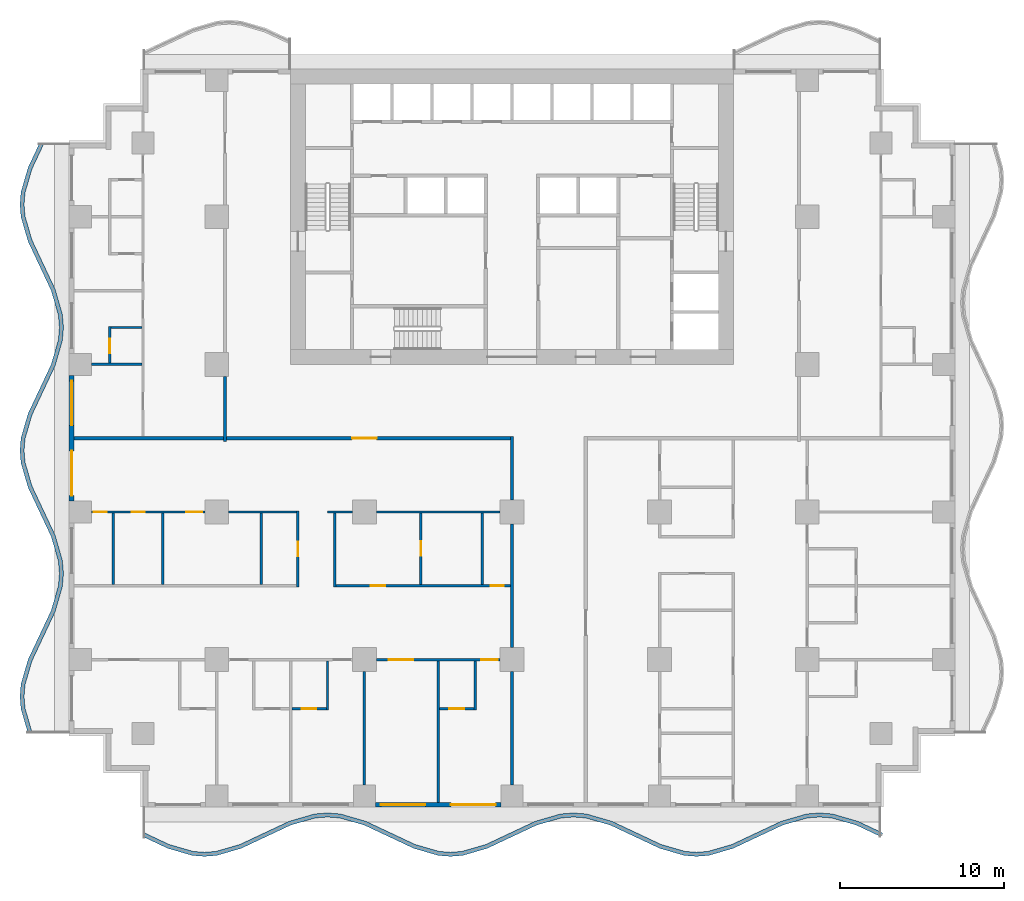
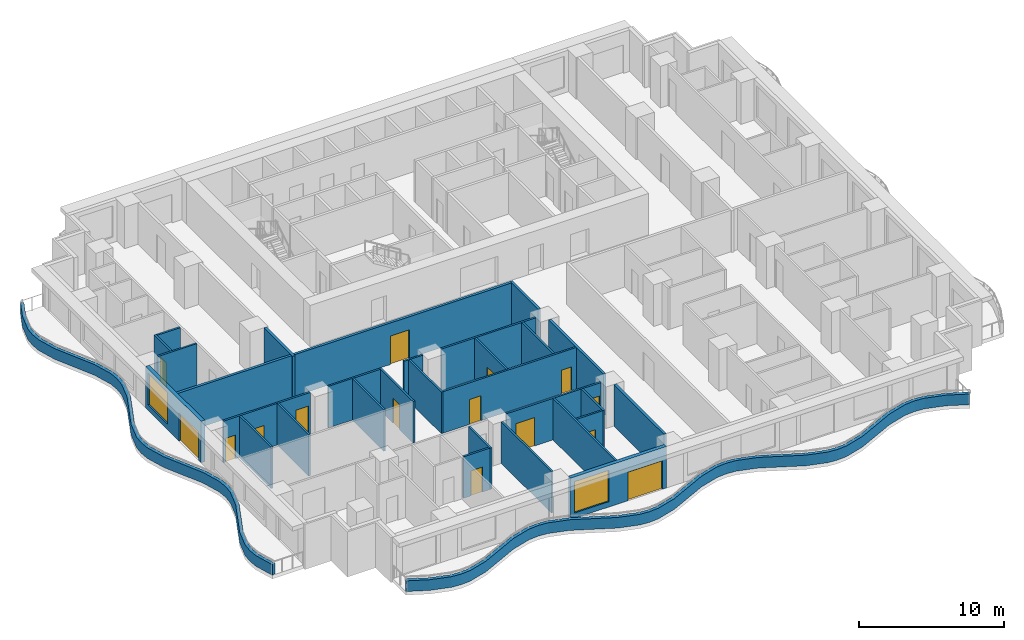
# One storey, part 2 of 13: 32 walls, 15 doors, 2 windows, 17 openings.
"""IFC4 building model written with IfcOpenShell, lengths in metres."""

from ifc_helpers import new_model, si_unit, direction, frame, frame_2d, origin, place, context, subcontext, project, spatial, polyline, rectangle, outline, extrude, material, layer, layer_set, type_object, element, fill, save


model = new_model("IFC4")

# Units and contexts
model_context = context("Model", 3, precision=1e-05, world=origin(), true_north=direction((0.0, 1.0)))
body_context = subcontext(model_context, "Body", "Model", "MODEL_VIEW")
ifc_project = project(units=[si_unit("LENGTHUNIT", "METRE"), si_unit("AREAUNIT", "SQUARE_METRE"), si_unit("VOLUMEUNIT", "CUBIC_METRE"), si_unit("PLANEANGLEUNIT", "RADIAN"), si_unit("MASSUNIT", "GRAM", prefix="KILO")], contexts=[model_context])

# Site, building, storey
site_placement = place(None, origin())
site = spatial("IfcSite", under=ifc_project, at=site_placement, CompositionType="ELEMENT")
building_placement = place(site_placement, origin())
building = spatial("IfcBuilding", under=site, at=building_placement, Name="Orbiselva Terraces", CompositionType="ELEMENT")
storey_placement = place(building_placement, frame((0.0, 0.0, 77.0)))
storey = spatial("IfcBuildingStorey", under=building, at=storey_placement, Name="L19", CompositionType="ELEMENT", Elevation=77.0)

# Walls
ifc_material_1 = material(Name="Concrete C40/50", Category="concrete")
ifc_layer_1 = layer(ifc_material_1, 0.25)
ifc_layer_set_1 = layer_set([ifc_layer_1], Name="Concrete C40/50")
wall_type_1 = type_object("IfcWallType", Name="ENV-PLANTER-250x900", PredefinedType="USERDEFINED", material=ifc_layer_set_1)
wall_1_placement = place(storey_placement, origin())
element("IfcWall", 1, at=wall_1_placement, inside=storey, type_object=wall_type_1, Name="Balcony planter L19 S", ObjectType="PLANTER", PredefinedType="USERDEFINED", context=body_context, shape_type="SweptSolid", body=[
    extrude(outline(polyline([(-22.5, -24.3), (-21.0, -25.005342), (-19.5, -25.441268), (-18.75, -25.5), (-18.0, -25.441268), (-16.5, -25.005342), (-15.0, -24.3), (-13.5, -23.594658), (-12.0, -23.158732), (-11.25, -23.1), (-10.5, -23.158732), (-9.0, -23.594658), (-7.5, -24.3), (-6.0, -25.005342), (-4.5, -25.441268), (-3.75, -25.5), (-3.0, -25.441268), (-1.5, -25.005342), (0.0, -24.3), (1.5, -23.594658), (3.0, -23.158732), (3.75, -23.1), (4.5, -23.158732), (6.0, -23.594658), (7.5, -24.3), (9.0, -25.005342), (10.5, -25.441268), (11.25, -25.5), (12.0, -25.441268), (13.5, -25.005342), (15.0, -24.3), (16.5, -23.594658), (18.0, -23.158732), (18.75, -23.1), (19.5, -23.158732), (21.0, -23.594658), (22.5, -24.3), (22.606383, -24.073764), (21.088618, -23.360069), (19.545114, -22.911499), (18.75, -22.849235), (17.954886, -22.911499), (16.411382, -23.360069), (14.893617, -24.073764), (13.411382, -24.770753), (11.954886, -25.194035), (11.25, -25.249235), (10.545114, -25.194035), (9.088618, -24.770753), (7.606383, -24.073764), (6.088618, -23.360069), (4.545114, -22.911499), (3.75, -22.849235), (2.954886, -22.911499), (1.411382, -23.360069), (-0.106383, -24.073764), (-1.588618, -24.770753), (-3.045114, -25.194035), (-3.75, -25.249235), (-4.454886, -25.194035), (-5.911382, -24.770753), (-7.393617, -24.073764), (-8.911382, -23.360069), (-10.454886, -22.911499), (-11.25, -22.849235), (-12.045114, -22.911499), (-13.588618, -23.360069), (-15.106383, -24.073764), (-16.588618, -24.770753), (-18.045114, -25.194035), (-18.75, -25.249235), (-19.454886, -25.194035), (-20.911382, -24.770753), (-22.393617, -24.073764), (-22.5, -24.3)])), origin(), (0.0, 0.0, 1.0), 0.9),
])
wall_2_placement = place(storey_placement, origin())
element("IfcWall", 2, at=wall_2_placement, inside=storey, type_object=wall_type_1, Name="Balcony planter L19 W", ObjectType="PLANTER", PredefinedType="USERDEFINED", context=body_context, shape_type="SweptSolid", body=[
    extrude(outline(polyline([(-28.8, 18.0), (-29.505342, 16.5), (-29.941268, 15.0), (-30.0, 14.25), (-29.941268, 13.5), (-29.505342, 12.0), (-28.8, 10.5), (-28.094658, 9.0), (-27.658732, 7.5), (-27.6, 6.75), (-27.658732, 6.0), (-28.094658, 4.5), (-28.8, 3.0), (-29.505342, 1.5), (-29.941268, 0.0), (-30.0, -0.75), (-29.941268, -1.5), (-29.505342, -3.0), (-28.8, -4.5), (-28.094658, -6.0), (-27.658732, -7.5), (-27.6, -8.25), (-27.658732, -9.0), (-28.094658, -10.5), (-28.8, -12.0), (-29.505342, -13.5), (-29.941268, -15.0), (-30.0, -15.75), (-29.941268, -16.5), (-29.505342, -18.0), (-29.265274, -17.930232), (-29.694035, -16.454886), (-29.749235, -15.75), (-29.694035, -15.045114), (-29.270753, -13.588618), (-28.573764, -12.106383), (-27.860069, -10.588618), (-27.411499, -9.045114), (-27.349235, -8.25), (-27.411499, -7.454886), (-27.860069, -5.911382), (-28.573764, -4.393617), (-29.270753, -2.911382), (-29.694035, -1.454886), (-29.749235, -0.75), (-29.694035, -0.045114), (-29.270753, 1.411382), (-28.573764, 2.893617), (-27.860069, 4.411382), (-27.411499, 5.954886), (-27.349235, 6.75), (-27.411499, 7.545114), (-27.860069, 9.088618), (-28.573764, 10.606383), (-29.270753, 12.088618), (-29.694035, 13.545114), (-29.749235, 14.25), (-29.694035, 14.954886), (-29.270753, 16.411382), (-28.573764, 17.893617), (-28.8, 18.0)])), origin(), (0.0, 0.0, 1.0), 0.9),
])

# Wall, openings, door, window
ifc_material_2 = material(Name="Terracotta cladding on masonry backing", Category="masonry")
ifc_layer_2 = layer(ifc_material_2, 0.3)
ifc_layer_set_2 = layer_set([ifc_layer_2], Name="Terracotta cladding on masonry backing")
wall_type_2 = type_object("IfcWallType", Name="ENV-WALL-TERRACOTTA-300", PredefinedType="SOLIDWALL", material=ifc_layer_set_2)
wall_3_placement = place(storey_placement, frame((-0.675, -22.35, 0.0), z_axis=(0.0, 0.0, 1.0), x_axis=(-1.0, 0.0, 0.0)))
wall_3 = element("IfcWall", 3, at=wall_3_placement, inside=storey, type_object=wall_type_2, Name="Facade wall L19 S", PredefinedType="SOLIDWALL", context=body_context, shape_type="SweptSolid", body=[
    extrude(rectangle(XDim=7.65, YDim=0.3, at=frame_2d((3.825, 0.0))), origin(), (0.0, 0.0, 1.0), 3.5),
])
opening_1_placement = place(wall_3_placement, frame((4.6, 0.0, 0.45)))
opening_1 = element("IfcOpeningElement", 4, at=opening_1_placement, cuts=wall_3, Name="Opening WN5", PredefinedType="OPENING", context=body_context, shape_type="SweptSolid", body=[
    extrude(rectangle(XDim=2.725, YDim=2.65, at=frame_2d((1.3625, 1.325))), frame((0.0, 0.16, 0.0), z_axis=(0.0, -1.0, 0.0), x_axis=(1.0, 0.0, 0.0)), (0.0, 0.0, 1.0), 0.32),
])
opening_2_placement = place(wall_3_placement, frame((0.325, 0.0, 0.0)))
opening_2 = element("IfcOpeningElement", 5, at=opening_2_placement, cuts=wall_3, Name="Opening Z2-A-E02", PredefinedType="OPENING", context=body_context, shape_type="SweptSolid", body=[
    extrude(rectangle(XDim=2.725, YDim=2.4, at=frame_2d((1.3625, 1.2))), frame((0.0, 0.16, 0.0), z_axis=(0.0, -1.0, 0.0), x_axis=(1.0, 0.0, 0.0)), (0.0, 0.0, 1.0), 0.32),
])
ifc_material_3 = material(Name="Clear low-e glazing in aluminium frame", Category="aluminium")
door_type_1 = type_object("IfcDoorType", Name="BALCONY DOOR 2725 X 2400", OperationType="DOUBLE_DOOR_SLIDING", PredefinedType="DOOR", material=ifc_material_3)
door_1_placement = place(opening_2_placement, origin())
door_1 = element("IfcDoor", 6, at=door_1_placement, inside=storey, type_object=door_type_1, Name="Z2-A-E02", OperationType="SINGLE_SWING_LEFT", OverallHeight=2.4, OverallWidth=2.725, PredefinedType="DOOR", context=body_context, shape_type="SweptSolid", body=[
    extrude(rectangle(XDim=2.725, YDim=2.4, at=frame_2d((1.3625, 1.2))), frame((0.0, 0.025, 0.0), z_axis=(0.0, -1.0, 0.0), x_axis=(1.0, 0.0, 0.0)), (0.0, 0.0, 1.0), 0.05),
])
fill(opening_2, door_1)
window_type = type_object("IfcWindowType", Name="WINDOW 2725 X 2650 S450", PartitioningType="TRIPLE_PANEL_VERTICAL", PredefinedType="WINDOW", material=ifc_material_3)
window_1_placement = place(opening_1_placement, origin())
window_1 = element("IfcWindow", 7, at=window_1_placement, inside=storey, type_object=window_type, Name="Window L19 S", OverallHeight=2.65, OverallWidth=2.725, PartitioningType="SINGLE_PANEL", PredefinedType="WINDOW", context=body_context, shape_type="SweptSolid", body=[
    extrude(rectangle(XDim=2.725, YDim=2.65, at=frame_2d((1.3625, 1.325))), frame((0.0, 0.03, 0.0), z_axis=(0.0, -1.0, 0.0), x_axis=(1.0, 0.0, 0.0)), (0.0, 0.0, 1.0), 0.06),
])
fill(opening_1, window_1)

wall_4_placement = place(storey_placement, frame((-26.85, -3.825, 0.0), z_axis=(0.0, 0.0, 1.0), x_axis=(0.0, 1.0, 0.0)))
wall_4 = element("IfcWall", 8, at=wall_4_placement, inside=storey, type_object=wall_type_2, Name="Facade wall L19 W", PredefinedType="SOLIDWALL", context=body_context, shape_type="SweptSolid", body=[
    extrude(rectangle(XDim=7.65, YDim=0.3, at=frame_2d((3.825, 0.0))), origin(), (0.0, 0.0, 1.0), 3.5),
])
opening_3_placement = place(wall_4_placement, frame((4.6, 0.0, 0.45)))
opening_3 = element("IfcOpeningElement", 9, at=opening_3_placement, cuts=wall_4, Name="Opening WN5", PredefinedType="OPENING", context=body_context, shape_type="SweptSolid", body=[
    extrude(rectangle(XDim=2.725, YDim=2.65, at=frame_2d((1.3625, 1.325))), frame((0.0, 0.16, 0.0), z_axis=(0.0, -1.0, 0.0), x_axis=(1.0, 0.0, 0.0)), (0.0, 0.0, 1.0), 0.32),
])
opening_4_placement = place(wall_4_placement, frame((0.325, 0.0, 0.0)))
opening_4 = element("IfcOpeningElement", 10, at=opening_4_placement, cuts=wall_4, Name="Opening Z2-A-E11", PredefinedType="OPENING", context=body_context, shape_type="SweptSolid", body=[
    extrude(rectangle(XDim=2.725, YDim=2.4, at=frame_2d((1.3625, 1.2))), frame((0.0, 0.16, 0.0), z_axis=(0.0, -1.0, 0.0), x_axis=(1.0, 0.0, 0.0)), (0.0, 0.0, 1.0), 0.32),
])
door_2_placement = place(opening_4_placement, origin())
door_2 = element("IfcDoor", 11, at=door_2_placement, inside=storey, type_object=door_type_1, Name="Z2-A-E11", OperationType="SINGLE_SWING_LEFT", OverallHeight=2.4, OverallWidth=2.725, PredefinedType="DOOR", context=body_context, shape_type="SweptSolid", body=[
    extrude(rectangle(XDim=2.725, YDim=2.4, at=frame_2d((1.3625, 1.2))), frame((0.0, 0.025, 0.0), z_axis=(0.0, -1.0, 0.0), x_axis=(1.0, 0.0, 0.0)), (0.0, 0.0, 1.0), 0.05),
])
fill(opening_4, door_2)
window_2_placement = place(opening_3_placement, origin())
window_2 = element("IfcWindow", 12, at=window_2_placement, inside=storey, type_object=window_type, Name="Window L19 W", OverallHeight=2.65, OverallWidth=2.725, PartitioningType="SINGLE_PANEL", PredefinedType="WINDOW", context=body_context, shape_type="SweptSolid", body=[
    extrude(rectangle(XDim=2.725, YDim=2.65, at=frame_2d((1.3625, 1.325))), frame((0.0, 0.03, 0.0), z_axis=(0.0, -1.0, 0.0), x_axis=(1.0, 0.0, 0.0)), (0.0, 0.0, 1.0), 0.06),
])
fill(opening_3, window_2)

# Wall, opening, door
ifc_material_4 = material(Name="Plasterboard on steel stud partition", Category="steel")
ifc_layer_3 = layer(ifc_material_4, 0.2)
ifc_layer_set_3 = layer_set([ifc_layer_3], Name="Plasterboard on steel stud partition")
wall_type_3 = type_object("IfcWallType", Name="UNIT-ENTRANCE-WALL-200", PredefinedType="PARTITIONING", material=ifc_layer_set_3)
wall_5_placement = place(storey_placement, frame((-0.1, 0.0, 0.0), z_axis=(0.0, 0.0, 1.0), x_axis=(-1.0, 0.0, 0.0)))
wall_5 = element("IfcWall", 13, at=wall_5_placement, inside=storey, type_object=wall_type_3, Name="PARTITION L19-028", PredefinedType="PARTITIONING", context=body_context, shape_type="SweptSolid", body=[
    extrude(rectangle(XDim=17.3, YDim=0.2, at=frame_2d((8.65, 0.0))), origin(), (0.0, 0.0, 1.0), 3.5),
])
opening_5_placement = place(wall_5_placement, frame((8.15, 0.0, 0.0)))
opening_5 = element("IfcOpeningElement", 14, at=opening_5_placement, cuts=wall_5, Name="Opening Z2-A-15", PredefinedType="OPENING", context=body_context, shape_type="SweptSolid", body=[
    extrude(rectangle(XDim=1.5, YDim=2.4, at=frame_2d((0.75, 1.2))), frame((0.0, 0.11, 0.0), z_axis=(0.0, -1.0, 0.0), x_axis=(1.0, 0.0, 0.0)), (0.0, 0.0, 1.0), 0.22),
])
ifc_material_5 = material(Name="Painted timber door leaf", Category="wood")
door_type_2 = type_object("IfcDoorType", Name="ENTRANCE DOUBLE DOOR 1500", OperationType="NOTDEFINED", PredefinedType="DOOR", material=ifc_material_5)
door_3_placement = place(opening_5_placement, origin())
door_3 = element("IfcDoor", 15, at=door_3_placement, inside=storey, type_object=door_type_2, Name="Z2-A-15", OperationType="DOUBLE_DOOR_SINGLE_SWING", OverallHeight=2.4, OverallWidth=1.5, PredefinedType="DOOR", context=body_context, shape_type="SweptSolid", body=[
    extrude(rectangle(XDim=1.5, YDim=2.4, at=frame_2d((0.75, 1.2))), frame((0.0, 0.025, 0.0), z_axis=(0.0, -1.0, 0.0), x_axis=(1.0, 0.0, 0.0)), (0.0, 0.0, 1.0), 0.05),
])
fill(opening_5, door_3)

# Walls
wall_6_placement = place(storey_placement, frame((-17.5, -0.2, 0.0), z_axis=(0.0, 0.0, 1.0), x_axis=(0.0, 1.0, 0.0)))
element("IfcWall", 16, at=wall_6_placement, inside=storey, type_object=wall_type_3, Name="PARTITION L19-051", PredefinedType="PARTITIONING", context=body_context, shape_type="SweptSolid", body=[
    extrude(rectangle(XDim=3.975, YDim=0.2, at=frame_2d((1.9875, 0.0))), origin(), (0.0, 0.0, 1.0), 3.5),
])
wall_7_placement = place(storey_placement, frame((0.0, -21.15, 0.0), z_axis=(0.0, 0.0, 1.0), x_axis=(0.0, 1.0, 0.0)))
element("IfcWall", 17, at=wall_7_placement, inside=storey, type_object=wall_type_3, Name="PARTITION L19-065", PredefinedType="PARTITIONING", context=body_context, shape_type="SweptSolid", body=[
    extrude(rectangle(XDim=6.925, YDim=0.2, at=frame_2d((3.4625, 0.0))), origin(), (0.0, 0.0, 1.0), 3.5),
])
wall_8_placement = place(storey_placement, frame((0.0, -12.775, 0.0), z_axis=(0.0, 0.0, 1.0), x_axis=(0.0, 1.0, 0.0)))
element("IfcWall", 18, at=wall_8_placement, inside=storey, type_object=wall_type_3, Name="PARTITION L19-066", PredefinedType="PARTITIONING", context=body_context, shape_type="SweptSolid", body=[
    extrude(rectangle(XDim=7.55, YDim=0.2, at=frame_2d((3.775, 0.0))), origin(), (0.0, 0.0, 1.0), 3.5),
])
wall_9_placement = place(storey_placement, frame((0.0, -3.775, 0.0), z_axis=(0.0, 0.0, 1.0), x_axis=(0.0, 1.0, 0.0)))
element("IfcWall", 19, at=wall_9_placement, inside=storey, type_object=wall_type_3, Name="PARTITION L19-067", PredefinedType="PARTITIONING", context=body_context, shape_type="SweptSolid", body=[
    extrude(rectangle(XDim=3.875, YDim=0.2, at=frame_2d((1.9375, 0.0))), origin(), (0.0, 0.0, 1.0), 3.5),
])

# Wall, opening, door
ifc_layer_4 = layer(ifc_material_4, 0.15)
ifc_layer_set_4 = layer_set([ifc_layer_4], Name="Plasterboard on steel stud partition")
wall_type_4 = type_object("IfcWallType", Name="UNIT-PARTITION-150", PredefinedType="PARTITIONING", material=ifc_layer_set_4)
wall_10_placement = place(storey_placement, frame((-13.425, -16.5, 0.0), z_axis=(0.0, 0.0, 1.0), x_axis=(1.0, 0.0, 0.0)))
wall_10 = element("IfcWall", 20, at=wall_10_placement, inside=storey, type_object=wall_type_4, Name="PARTITION L19-005", PredefinedType="PARTITIONING", context=body_context, shape_type="SweptSolid", body=[
    extrude(rectangle(XDim=2.1, YDim=0.15, at=frame_2d((1.05, 0.0))), origin(), (0.0, 0.0, 1.0), 3.5),
])
opening_6_placement = place(wall_10_placement, frame((0.6, 0.0, 0.0)))
opening_6 = element("IfcOpeningElement", 21, at=opening_6_placement, cuts=wall_10, Name="Opening Z2-A-28", PredefinedType="OPENING", context=body_context, shape_type="SweptSolid", body=[
    extrude(rectangle(XDim=0.9, YDim=2.1, at=frame_2d((0.45, 1.05))), frame((0.0, 0.085, 0.0), z_axis=(0.0, -1.0, 0.0), x_axis=(1.0, 0.0, 0.0)), (0.0, 0.0, 1.0), 0.17),
])
door_type_3 = type_object("IfcDoorType", Name="BATH DOOR 900", OperationType="NOTDEFINED", PredefinedType="DOOR", material=ifc_material_5)
door_4_placement = place(opening_6_placement, origin())
door_4 = element("IfcDoor", 22, at=door_4_placement, inside=storey, type_object=door_type_3, Name="Z2-A-28", OperationType="SINGLE_SWING_LEFT", OverallHeight=2.1, OverallWidth=0.9, PredefinedType="DOOR", context=body_context, shape_type="SweptSolid", body=[
    extrude(rectangle(XDim=0.9, YDim=2.1, at=frame_2d((0.45, 1.05))), frame((0.0, 0.025, 0.0), z_axis=(0.0, -1.0, 0.0), x_axis=(1.0, 0.0, 0.0)), (0.0, 0.0, 1.0), 0.05),
])
fill(opening_6, door_4)

wall_11_placement = place(storey_placement, frame((-4.425, -16.5, 0.0), z_axis=(0.0, 0.0, 1.0), x_axis=(1.0, 0.0, 0.0)))
wall_11 = element("IfcWall", 23, at=wall_11_placement, inside=storey, type_object=wall_type_4, Name="PARTITION L19-006", PredefinedType="PARTITIONING", context=body_context, shape_type="SweptSolid", body=[
    extrude(rectangle(XDim=2.1, YDim=0.15, at=frame_2d((1.05, 0.0))), origin(), (0.0, 0.0, 1.0), 3.5),
])
opening_7_placement = place(wall_11_placement, frame((0.6, 0.0, 0.0)))
opening_7 = element("IfcOpeningElement", 24, at=opening_7_placement, cuts=wall_11, Name="Opening Z2-A-31", PredefinedType="OPENING", context=body_context, shape_type="SweptSolid", body=[
    extrude(rectangle(XDim=0.9, YDim=2.1, at=frame_2d((0.45, 1.05))), frame((0.0, 0.085, 0.0), z_axis=(0.0, -1.0, 0.0), x_axis=(1.0, 0.0, 0.0)), (0.0, 0.0, 1.0), 0.17),
])
door_5_placement = place(opening_7_placement, origin())
door_5 = element("IfcDoor", 25, at=door_5_placement, inside=storey, type_object=door_type_3, Name="Z2-A-31", OperationType="SINGLE_SWING_RIGHT", OverallHeight=2.1, OverallWidth=0.9, PredefinedType="DOOR", context=body_context, shape_type="SweptSolid", body=[
    extrude(rectangle(XDim=0.9, YDim=2.1, at=frame_2d((0.45, 1.05))), frame((0.0, 0.025, 0.0), z_axis=(0.0, -1.0, 0.0), x_axis=(1.0, 0.0, 0.0)), (0.0, 0.0, 1.0), 0.05),
])
fill(opening_7, door_5)

# Wall, openings, doors
wall_12_placement = place(storey_placement, frame((-0.725, -13.5, 0.0), z_axis=(0.0, 0.0, 1.0), x_axis=(-1.0, 0.0, 0.0)))
wall_12 = element("IfcWall", 26, at=wall_12_placement, inside=storey, type_object=wall_type_4, Name="PARTITION L19-011", PredefinedType="PARTITIONING", context=body_context, shape_type="SweptSolid", body=[
    extrude(rectangle(XDim=7.55, YDim=0.15, at=frame_2d((3.775, 0.0))), origin(), (0.0, 0.0, 1.0), 3.5),
])
opening_8_placement = place(wall_12_placement, frame((5.3, 0.0, 0.0)))
opening_8 = element("IfcOpeningElement", 27, at=opening_8_placement, cuts=wall_12, Name="Opening Z2-A-29", PredefinedType="OPENING", context=body_context, shape_type="SweptSolid", body=[
    extrude(rectangle(XDim=1.5, YDim=2.4, at=frame_2d((0.75, 1.2))), frame((0.0, 0.085, 0.0), z_axis=(0.0, -1.0, 0.0), x_axis=(1.0, 0.0, 0.0)), (0.0, 0.0, 1.0), 0.17),
])
opening_9_placement = place(wall_12_placement, frame((0.15, 0.0, 0.0)))
opening_9 = element("IfcOpeningElement", 28, at=opening_9_placement, cuts=wall_12, Name="Opening Z2-A-30", PredefinedType="OPENING", context=body_context, shape_type="SweptSolid", body=[
    extrude(rectangle(XDim=1.0, YDim=2.4, at=frame_2d((0.5, 1.2))), frame((0.0, 0.085, 0.0), z_axis=(0.0, -1.0, 0.0), x_axis=(1.0, 0.0, 0.0)), (0.0, 0.0, 1.0), 0.17),
])
door_type_4 = type_object("IfcDoorType", Name="DOUBLE DOOR 1500", OperationType="NOTDEFINED", PredefinedType="DOOR", material=ifc_material_5)
door_6_placement = place(opening_8_placement, origin())
door_6 = element("IfcDoor", 29, at=door_6_placement, inside=storey, type_object=door_type_4, Name="Z2-A-29", OperationType="DOUBLE_DOOR_SINGLE_SWING", OverallHeight=2.4, OverallWidth=1.5, PredefinedType="DOOR", context=body_context, shape_type="SweptSolid", body=[
    extrude(rectangle(XDim=1.5, YDim=2.4, at=frame_2d((0.75, 1.2))), frame((0.0, 0.025, 0.0), z_axis=(0.0, -1.0, 0.0), x_axis=(1.0, 0.0, 0.0)), (0.0, 0.0, 1.0), 0.05),
])
fill(opening_8, door_6)
door_type_5 = type_object("IfcDoorType", Name="ROOM DOOR 1000", OperationType="NOTDEFINED", PredefinedType="DOOR", material=ifc_material_5)
door_7_placement = place(opening_9_placement, origin())
door_7 = element("IfcDoor", 30, at=door_7_placement, inside=storey, type_object=door_type_5, Name="Z2-A-30", OperationType="SINGLE_SWING_LEFT", OverallHeight=2.4, OverallWidth=1.0, PredefinedType="DOOR", context=body_context, shape_type="SweptSolid", body=[
    extrude(rectangle(XDim=1.0, YDim=2.4, at=frame_2d((0.5, 1.2))), frame((0.0, 0.025, 0.0), z_axis=(0.0, -1.0, 0.0), x_axis=(1.0, 0.0, 0.0)), (0.0, 0.0, 1.0), 0.05),
])
fill(opening_9, door_7)

wall_13_placement = place(storey_placement, frame((-10.725, -9.0, 0.0), z_axis=(0.0, 0.0, 1.0), x_axis=(1.0, 0.0, 0.0)))
wall_13 = element("IfcWall", 31, at=wall_13_placement, inside=storey, type_object=wall_type_4, Name="PARTITION L19-016", PredefinedType="PARTITIONING", context=body_context, shape_type="SweptSolid", body=[
    extrude(rectangle(XDim=10.625, YDim=0.15, at=frame_2d((5.3125, 0.0))), origin(), (0.0, 0.0, 1.0), 3.5),
])
opening_10_placement = place(wall_13_placement, frame((2.1, 0.0, 0.0)))
opening_10 = element("IfcOpeningElement", 32, at=opening_10_placement, cuts=wall_13, Name="Opening Z2-A-20", PredefinedType="OPENING", context=body_context, shape_type="SweptSolid", body=[
    extrude(rectangle(XDim=0.9, YDim=2.1, at=frame_2d((0.45, 1.05))), frame((0.0, 0.085, 0.0), z_axis=(0.0, -1.0, 0.0), x_axis=(1.0, 0.0, 0.0)), (0.0, 0.0, 1.0), 0.17),
])
opening_11_placement = place(wall_13_placement, frame((9.425, 0.0, 0.0)))
opening_11 = element("IfcOpeningElement", 33, at=opening_11_placement, cuts=wall_13, Name="Opening Z2-A-22", PredefinedType="OPENING", context=body_context, shape_type="SweptSolid", body=[
    extrude(rectangle(XDim=0.8, YDim=2.0, at=frame_2d((0.4, 1.0))), frame((0.0, 0.085, 0.0), z_axis=(0.0, -1.0, 0.0), x_axis=(1.0, 0.0, 0.0)), (0.0, 0.0, 1.0), 0.17),
])
door_type_6 = type_object("IfcDoorType", Name="SERVICE DOOR 900", OperationType="NOTDEFINED", PredefinedType="DOOR", material=ifc_material_5)
door_8_placement = place(opening_10_placement, origin())
door_8 = element("IfcDoor", 34, at=door_8_placement, inside=storey, type_object=door_type_6, Name="Z2-A-20", OperationType="SINGLE_SWING_LEFT", OverallHeight=2.1, OverallWidth=0.9, PredefinedType="DOOR", context=body_context, shape_type="SweptSolid", body=[
    extrude(rectangle(XDim=0.9, YDim=2.1, at=frame_2d((0.45, 1.05))), frame((0.0, 0.025, 0.0), z_axis=(0.0, -1.0, 0.0), x_axis=(1.0, 0.0, 0.0)), (0.0, 0.0, 1.0), 0.05),
])
fill(opening_10, door_8)
door_type_7 = type_object("IfcDoorType", Name="STORE DOOR 800", OperationType="NOTDEFINED", PredefinedType="DOOR", material=ifc_material_5)
door_9_placement = place(opening_11_placement, origin())
door_9 = element("IfcDoor", 35, at=door_9_placement, inside=storey, type_object=door_type_7, Name="Z2-A-22", OperationType="SINGLE_SWING_RIGHT", OverallHeight=2.0, OverallWidth=0.8, PredefinedType="DOOR", context=body_context, shape_type="SweptSolid", body=[
    extrude(rectangle(XDim=0.8, YDim=2.0, at=frame_2d((0.4, 1.0))), frame((0.0, 0.025, 0.0), z_axis=(0.0, -1.0, 0.0), x_axis=(1.0, 0.0, 0.0)), (0.0, 0.0, 1.0), 0.05),
])
fill(opening_11, door_9)

wall_14_placement = place(storey_placement, frame((-18.725, -4.5, 0.0), z_axis=(0.0, 0.0, 1.0), x_axis=(-1.0, 0.0, 0.0)))
wall_14 = element("IfcWall", 36, at=wall_14_placement, inside=storey, type_object=wall_type_4, Name="PARTITION L19-022", PredefinedType="PARTITIONING", context=body_context, shape_type="SweptSolid", body=[
    extrude(rectangle(XDim=6.925, YDim=0.15, at=frame_2d((3.4625, 0.0))), origin(), (0.0, 0.0, 1.0), 3.5),
])
opening_12_placement = place(wall_14_placement, frame((5.975, 0.0, 0.0)))
opening_12 = element("IfcOpeningElement", 37, at=opening_12_placement, cuts=wall_14, Name="Opening Z2-A-16", PredefinedType="OPENING", context=body_context, shape_type="SweptSolid", body=[
    extrude(rectangle(XDim=0.8, YDim=2.0, at=frame_2d((0.4, 1.0))), frame((0.0, 0.085, 0.0), z_axis=(0.0, -1.0, 0.0), x_axis=(1.0, 0.0, 0.0)), (0.0, 0.0, 1.0), 0.17),
])
opening_13_placement = place(wall_14_placement, frame((3.675, 0.0, 0.0)))
opening_13 = element("IfcOpeningElement", 38, at=opening_13_placement, cuts=wall_14, Name="Opening Z2-A-17", PredefinedType="OPENING", context=body_context, shape_type="SweptSolid", body=[
    extrude(rectangle(XDim=0.8, YDim=2.0, at=frame_2d((0.4, 1.0))), frame((0.0, 0.085, 0.0), z_axis=(0.0, -1.0, 0.0), x_axis=(1.0, 0.0, 0.0)), (0.0, 0.0, 1.0), 0.17),
])
opening_14_placement = place(wall_14_placement, frame((0.15, 0.0, 0.0)))
opening_14 = element("IfcOpeningElement", 39, at=opening_14_placement, cuts=wall_14, Name="Opening Z2-A-18", PredefinedType="OPENING", context=body_context, shape_type="SweptSolid", body=[
    extrude(rectangle(XDim=1.0, YDim=2.4, at=frame_2d((0.5, 1.2))), frame((0.0, 0.085, 0.0), z_axis=(0.0, -1.0, 0.0), x_axis=(1.0, 0.0, 0.0)), (0.0, 0.0, 1.0), 0.17),
])
door_10_placement = place(opening_14_placement, origin())
door_10 = element("IfcDoor", 40, at=door_10_placement, inside=storey, type_object=door_type_5, Name="Z2-A-18", OperationType="SINGLE_SWING_LEFT", OverallHeight=2.4, OverallWidth=1.0, PredefinedType="DOOR", context=body_context, shape_type="SweptSolid", body=[
    extrude(rectangle(XDim=1.0, YDim=2.4, at=frame_2d((0.5, 1.2))), frame((0.0, 0.025, 0.0), z_axis=(0.0, -1.0, 0.0), x_axis=(1.0, 0.0, 0.0)), (0.0, 0.0, 1.0), 0.05),
])
fill(opening_14, door_10)
door_11_placement = place(opening_12_placement, origin())
door_11 = element("IfcDoor", 41, at=door_11_placement, inside=storey, type_object=door_type_7, Name="Z2-A-16", OperationType="SINGLE_SWING_RIGHT", OverallHeight=2.0, OverallWidth=0.8, PredefinedType="DOOR", context=body_context, shape_type="SweptSolid", body=[
    extrude(rectangle(XDim=0.8, YDim=2.0, at=frame_2d((0.4, 1.0))), frame((0.0, 0.025, 0.0), z_axis=(0.0, -1.0, 0.0), x_axis=(1.0, 0.0, 0.0)), (0.0, 0.0, 1.0), 0.05),
])
fill(opening_12, door_11)
door_12_placement = place(opening_13_placement, origin())
door_12 = element("IfcDoor", 42, at=door_12_placement, inside=storey, type_object=door_type_7, Name="Z2-A-17", OperationType="SINGLE_SWING_RIGHT", OverallHeight=2.0, OverallWidth=0.8, PredefinedType="DOOR", context=body_context, shape_type="SweptSolid", body=[
    extrude(rectangle(XDim=0.8, YDim=2.0, at=frame_2d((0.4, 1.0))), frame((0.0, 0.025, 0.0), z_axis=(0.0, -1.0, 0.0), x_axis=(1.0, 0.0, 0.0)), (0.0, 0.0, 1.0), 0.05),
])
fill(opening_13, door_12)

# Walls
wall_15_placement = place(storey_placement, frame((-17.275, -4.5, 0.0), z_axis=(0.0, 0.0, 1.0), x_axis=(1.0, 0.0, 0.0)))
element("IfcWall", 43, at=wall_15_placement, inside=storey, type_object=wall_type_4, Name="PARTITION L19-023", PredefinedType="PARTITIONING", context=body_context, shape_type="SweptSolid", body=[
    extrude(rectangle(XDim=4.15, YDim=0.15, at=frame_2d((2.075, 0.0))), origin(), (0.0, 0.0, 1.0), 3.5),
])
wall_16_placement = place(storey_placement, frame((-11.25, -4.5, 0.0), z_axis=(0.0, 0.0, 1.0), x_axis=(1.0, 0.0, 0.0)))
element("IfcWall", 44, at=wall_16_placement, inside=storey, type_object=wall_type_4, Name="PARTITION L19-024", PredefinedType="PARTITIONING", context=body_context, shape_type="SweptSolid", body=[
    extrude(rectangle(XDim=1.525, YDim=0.15, at=frame_2d((0.7625, 0.0))), origin(), (0.0, 0.0, 1.0), 3.5),
])
wall_17_placement = place(storey_placement, frame((-8.275, -4.5, 0.0), z_axis=(0.0, 0.0, 1.0), x_axis=(1.0, 0.0, 0.0)))
element("IfcWall", 45, at=wall_17_placement, inside=storey, type_object=wall_type_4, Name="PARTITION L19-025", PredefinedType="PARTITIONING", context=body_context, shape_type="SweptSolid", body=[
    extrude(rectangle(XDim=7.55, YDim=0.15, at=frame_2d((3.775, 0.0))), origin(), (0.0, 0.0, 1.0), 3.5),
])
wall_18_placement = place(storey_placement, frame((-25.65, 4.5, 0.0), z_axis=(0.0, 0.0, 1.0), x_axis=(1.0, 0.0, 0.0)))
element("IfcWall", 46, at=wall_18_placement, inside=storey, type_object=wall_type_4, Name="PARTITION L19-032", PredefinedType="PARTITIONING", context=body_context, shape_type="SweptSolid", body=[
    extrude(rectangle(XDim=3.075, YDim=0.15, at=frame_2d((1.5375, 0.0))), origin(), (0.0, 0.0, 1.0), 3.5),
])
wall_19_placement = place(storey_placement, frame((-24.45, 6.75, 0.0), z_axis=(0.0, 0.0, 1.0), x_axis=(1.0, 0.0, 0.0)))
element("IfcWall", 47, at=wall_19_placement, inside=storey, type_object=wall_type_4, Name="PARTITION L19-034", PredefinedType="PARTITIONING", context=body_context, shape_type="SweptSolid", body=[
    extrude(rectangle(XDim=1.875, YDim=0.15, at=frame_2d((0.9375, 0.0))), origin(), (0.0, 0.0, 1.0), 3.5),
])

# Wall, opening, door
wall_20_placement = place(storey_placement, frame((-24.525, 6.825, 0.0), z_axis=(0.0, 0.0, 1.0), x_axis=(0.0, -1.0, 0.0)))
wall_20 = element("IfcWall", 48, at=wall_20_placement, inside=storey, type_object=wall_type_4, Name="PARTITION L19-043", PredefinedType="PARTITIONING", context=body_context, shape_type="SweptSolid", body=[
    extrude(rectangle(XDim=2.25, YDim=0.15, at=frame_2d((1.125, 0.0))), origin(), (0.0, 0.0, 1.0), 3.5),
])
opening_15_placement = place(wall_20_placement, frame((0.75, 0.0, 0.0)))
opening_15 = element("IfcOpeningElement", 49, at=opening_15_placement, cuts=wall_20, Name="Opening Z2-A-04", PredefinedType="OPENING", context=body_context, shape_type="SweptSolid", body=[
    extrude(rectangle(XDim=0.9, YDim=2.1, at=frame_2d((0.45, 1.05))), frame((0.0, 0.085, 0.0), z_axis=(0.0, -1.0, 0.0), x_axis=(1.0, 0.0, 0.0)), (0.0, 0.0, 1.0), 0.17),
])
door_13_placement = place(opening_15_placement, origin())
door_13 = element("IfcDoor", 50, at=door_13_placement, inside=storey, type_object=door_type_3, Name="Z2-A-04", OperationType="SINGLE_SWING_RIGHT", OverallHeight=2.1, OverallWidth=0.9, PredefinedType="DOOR", context=body_context, shape_type="SweptSolid", body=[
    extrude(rectangle(XDim=0.9, YDim=2.1, at=frame_2d((0.45, 1.05))), frame((0.0, 0.025, 0.0), z_axis=(0.0, -1.0, 0.0), x_axis=(1.0, 0.0, 0.0)), (0.0, 0.0, 1.0), 0.05),
])
fill(opening_15, door_13)

# Walls
for number, where, z_axis, x_axis, name in (
    (51, (-24.3, -8.925, 0.0), (0.0, 0.0, 1.0), (0.0, 1.0, 0.0), "PARTITION L19-045"),
    (52, (-21.3, -8.925, 0.0), (0.0, 0.0, 1.0), (0.0, 1.0, 0.0), "PARTITION L19-048"),
    (53, (-15.3, -8.925, 0.0), (0.0, 0.0, 1.0), (0.0, 1.0, 0.0), "PARTITION L19-055"),
):
    element("IfcWall", number, at=place(storey_placement, frame(where, z_axis=z_axis, x_axis=x_axis)), inside=storey, type_object=wall_type_4, Name=name, PredefinedType="PARTITIONING", context=body_context, shape_type="SweptSolid", body=[
        extrude(rectangle(XDim=4.35, YDim=0.15, at=frame_2d((2.175, 0.0))), origin(), (0.0, 0.0, 1.0), 3.5),
    ])

# Wall, opening, door
wall_21_placement = place(storey_placement, frame((-13.05, -9.075, 0.0), z_axis=(0.0, 0.0, 1.0), x_axis=(0.0, 1.0, 0.0)))
wall_21 = element("IfcWall", 54, at=wall_21_placement, inside=storey, type_object=wall_type_4, Name="PARTITION L19-057", PredefinedType="PARTITIONING", context=body_context, shape_type="SweptSolid", body=[
    extrude(rectangle(XDim=4.65, YDim=0.15, at=frame_2d((2.325, 0.0))), origin(), (0.0, 0.0, 1.0), 3.5),
])
opening_16_placement = place(wall_21_placement, frame((1.875, 0.0, 0.0)))
opening_16 = element("IfcOpeningElement", 55, at=opening_16_placement, cuts=wall_21, Name="Opening Z2-A-19", PredefinedType="OPENING", context=body_context, shape_type="SweptSolid", body=[
    extrude(rectangle(XDim=0.9, YDim=2.1, at=frame_2d((0.45, 1.05))), frame((0.0, 0.085, 0.0), z_axis=(0.0, -1.0, 0.0), x_axis=(1.0, 0.0, 0.0)), (0.0, 0.0, 1.0), 0.17),
])
door_14_placement = place(opening_16_placement, origin())
door_14 = element("IfcDoor", 56, at=door_14_placement, inside=storey, type_object=door_type_3, Name="Z2-A-19", OperationType="SINGLE_SWING_LEFT", OverallHeight=2.1, OverallWidth=0.9, PredefinedType="DOOR", context=body_context, shape_type="SweptSolid", body=[
    extrude(rectangle(XDim=0.9, YDim=2.1, at=frame_2d((0.45, 1.05))), frame((0.0, 0.025, 0.0), z_axis=(0.0, -1.0, 0.0), x_axis=(1.0, 0.0, 0.0)), (0.0, 0.0, 1.0), 0.05),
])
fill(opening_16, door_14)

# Walls
wall_22_placement = place(storey_placement, frame((-11.25, -16.575, 0.0), z_axis=(0.0, 0.0, 1.0), x_axis=(0.0, 1.0, 0.0)))
element("IfcWall", 57, at=wall_22_placement, inside=storey, type_object=wall_type_4, Name="PARTITION L19-058", PredefinedType="PARTITIONING", context=body_context, shape_type="SweptSolid", body=[
    extrude(rectangle(XDim=3.0, YDim=0.15, at=frame_2d((1.5, 0.0))), origin(), (0.0, 0.0, 1.0), 3.5),
])
wall_23_placement = place(storey_placement, frame((-10.8, -9.075, 0.0), z_axis=(0.0, 0.0, 1.0), x_axis=(0.0, 1.0, 0.0)))
element("IfcWall", 58, at=wall_23_placement, inside=storey, type_object=wall_type_4, Name="PARTITION L19-059", PredefinedType="PARTITIONING", context=body_context, shape_type="SweptSolid", body=[
    extrude(rectangle(XDim=4.5, YDim=0.15, at=frame_2d((2.25, 0.0))), origin(), (0.0, 0.0, 1.0), 3.5),
])
wall_24_placement = place(storey_placement, frame((-9.0, -21.15, 0.0), z_axis=(0.0, 0.0, 1.0), x_axis=(0.0, 1.0, 0.0)))
element("IfcWall", 59, at=wall_24_placement, inside=storey, type_object=wall_type_4, Name="PARTITION L19-060", PredefinedType="PARTITIONING", context=body_context, shape_type="SweptSolid", body=[
    extrude(rectangle(XDim=6.925, YDim=0.15, at=frame_2d((3.4625, 0.0))), origin(), (0.0, 0.0, 1.0), 3.5),
])

# Wall, opening, door
wall_25_placement = place(storey_placement, frame((-5.55, -4.575, 0.0), z_axis=(0.0, 0.0, 1.0), x_axis=(0.0, -1.0, 0.0)))
wall_25 = element("IfcWall", 60, at=wall_25_placement, inside=storey, type_object=wall_type_4, Name="PARTITION L19-061", PredefinedType="PARTITIONING", context=body_context, shape_type="SweptSolid", body=[
    extrude(rectangle(XDim=4.35, YDim=0.15, at=frame_2d((2.175, 0.0))), origin(), (0.0, 0.0, 1.0), 3.5),
])
opening_17_placement = place(wall_25_placement, frame((1.7, 0.0, 0.0)))
opening_17 = element("IfcOpeningElement", 61, at=opening_17_placement, cuts=wall_25, Name="Opening Z2-A-21", PredefinedType="OPENING", context=body_context, shape_type="SweptSolid", body=[
    extrude(rectangle(XDim=0.9, YDim=2.1, at=frame_2d((0.45, 1.05))), frame((0.0, 0.085, 0.0), z_axis=(0.0, -1.0, 0.0), x_axis=(1.0, 0.0, 0.0)), (0.0, 0.0, 1.0), 0.17),
])
door_15_placement = place(opening_17_placement, origin())
door_15 = element("IfcDoor", 62, at=door_15_placement, inside=storey, type_object=door_type_3, Name="Z2-A-21", OperationType="SINGLE_SWING_LEFT", OverallHeight=2.1, OverallWidth=0.9, PredefinedType="DOOR", context=body_context, shape_type="SweptSolid", body=[
    extrude(rectangle(XDim=0.9, YDim=2.1, at=frame_2d((0.45, 1.05))), frame((0.0, 0.025, 0.0), z_axis=(0.0, -1.0, 0.0), x_axis=(1.0, 0.0, 0.0)), (0.0, 0.0, 1.0), 0.05),
])
fill(opening_17, door_15)

# Walls
wall_26_placement = place(storey_placement, frame((-4.5, -22.2, 0.0), z_axis=(0.0, 0.0, 1.0), x_axis=(0.0, 1.0, 0.0)))
element("IfcWall", 63, at=wall_26_placement, inside=storey, type_object=wall_type_4, Name="PARTITION L19-062", PredefinedType="PARTITIONING", context=body_context, shape_type="SweptSolid", body=[
    extrude(rectangle(XDim=8.625, YDim=0.15, at=frame_2d((4.3125, 0.0))), origin(), (0.0, 0.0, 1.0), 3.5),
])
wall_27_placement = place(storey_placement, frame((-2.25, -16.575, 0.0), z_axis=(0.0, 0.0, 1.0), x_axis=(0.0, 1.0, 0.0)))
element("IfcWall", 64, at=wall_27_placement, inside=storey, type_object=wall_type_4, Name="PARTITION L19-063", PredefinedType="PARTITIONING", context=body_context, shape_type="SweptSolid", body=[
    extrude(rectangle(XDim=3.0, YDim=0.15, at=frame_2d((1.5, 0.0))), origin(), (0.0, 0.0, 1.0), 3.5),
])
wall_28_placement = place(storey_placement, frame((-1.8, -8.925, 0.0), z_axis=(0.0, 0.0, 1.0), x_axis=(0.0, 1.0, 0.0)))
element("IfcWall", 65, at=wall_28_placement, inside=storey, type_object=wall_type_4, Name="PARTITION L19-064", PredefinedType="PARTITIONING", context=body_context, shape_type="SweptSolid", body=[
    extrude(rectangle(XDim=4.35, YDim=0.15, at=frame_2d((2.175, 0.0))), origin(), (0.0, 0.0, 1.0), 3.5),
])
ifc_layer_5 = layer(ifc_material_4, 0.2)
ifc_layer_set_5 = layer_set([ifc_layer_5], Name="Plasterboard on steel stud partition")
wall_type_5 = type_object("IfcWallType", Name="UNIT-PARTY-WALL-200", PredefinedType="PARTITIONING", material=ifc_layer_set_5)
wall_29_placement = place(storey_placement, frame((-26.7, 0.0, 0.0), z_axis=(0.0, 0.0, 1.0), x_axis=(1.0, 0.0, 0.0)))
element("IfcWall", 66, at=wall_29_placement, inside=storey, type_object=wall_type_5, Name="PARTITION L19-030", PredefinedType="PARTITIONING", context=body_context, shape_type="SweptSolid", body=[
    extrude(rectangle(XDim=9.1, YDim=0.2, at=frame_2d((4.55, 0.0))), origin(), (0.0, 0.0, 1.0), 3.5),
])

save(model, "model.ifc")
